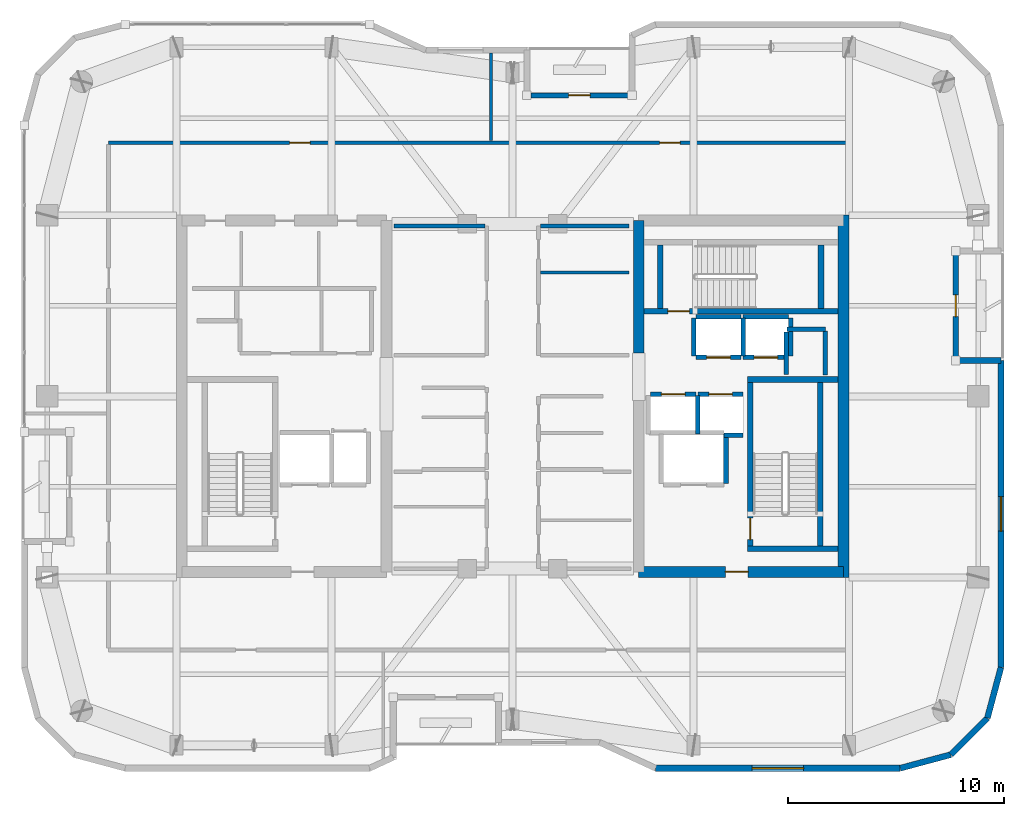
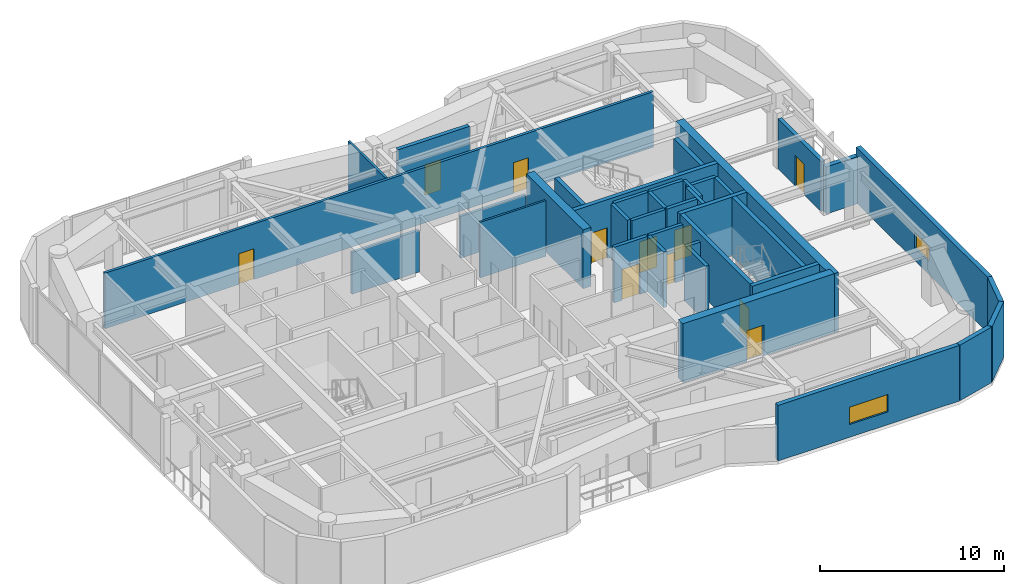
# One storey, part 12 of 15: 38 walls, 11 doors, 2 windows, 13 openings.
"""IFC4 building model written with IfcOpenShell, lengths in metres."""

from ifc_helpers import new_model, si_unit, direction, frame, frame_2d, origin, place, context, subcontext, project, spatial, rectangle, extrude, material, layer, layer_set, type_object, element, fill, save


model = new_model("IFC4")

# Units and contexts
model_context = context("Model", 3, precision=1e-05, world=origin(), true_north=direction((0.0, 1.0)))
body_context = subcontext(model_context, "Body", "Model", "MODEL_VIEW")
ifc_project = project(units=[si_unit("LENGTHUNIT", "METRE"), si_unit("AREAUNIT", "SQUARE_METRE"), si_unit("VOLUMEUNIT", "CUBIC_METRE"), si_unit("PLANEANGLEUNIT", "RADIAN"), si_unit("MASSUNIT", "GRAM", prefix="KILO")], contexts=[model_context])

# Site, building, storey
site_placement = place(None, origin())
site = spatial("IfcSite", under=ifc_project, at=site_placement, CompositionType="ELEMENT")
building_placement = place(site_placement, origin())
building = spatial("IfcBuilding", under=site, at=building_placement, Name="Kiyonajd Concourse Tower", CompositionType="ELEMENT")
storey_placement = place(building_placement, frame((0.0, 0.0, 286.199951171875)))
storey = spatial("IfcBuildingStorey", under=building, at=storey_placement, Name="L72", CompositionType="ELEMENT", Elevation=286.199951171875)

# Walls
ifc_material_1 = material(Name="Concrete C60/75", Category="concrete")
ifc_layer_1 = layer(ifc_material_1, 0.5)
ifc_layer_set_1 = layer_set([ifc_layer_1], Name="Concrete C60/75")
wall_type_1 = type_object("IfcWallType", Name="WL-CORE-500", PredefinedType="SHEAR", material=ifc_layer_set_1)
wall_1_placement = place(storey_placement, frame((53.85009765625, 38.0, 0.0), z_axis=(0.0, 0.0, 1.0), x_axis=(0.0, 1.0, 0.0)))
element("IfcWall", 1, at=wall_1_placement, inside=storey, type_object=wall_type_1, Name="L72 East Core Inner North Shear Wall", PredefinedType="SHEAR", context=body_context, shape_type="SweptSolid", body=[
    extrude(rectangle(XDim=6.14990234375, YDim=0.5, at=frame_2d((3.074951171875, 0.0))), origin(), (0.0, 0.0, 1.0), 3.900146484375),
])
wall_2_placement = place(storey_placement, frame((63.35009765625, 27.60009765625, 0.0), z_axis=(0.0, 0.0, 1.0), x_axis=(0.0, 1.0, 0.0)))
element("IfcWall", 2, at=wall_2_placement, inside=storey, type_object=wall_type_1, Name="L72 East Core Outer Shear Wall", PredefinedType="SHEAR", context=body_context, shape_type="SweptSolid", body=[
    extrude(rectangle(XDim=16.7998046875, YDim=0.5, at=frame_2d((8.39990234375, 0.0))), origin(), (0.0, 0.0, 1.0), 3.900146484375),
])

# Wall, opening, door
wall_3_placement = place(storey_placement, frame((53.85009765625, 27.85009765625, 0.0), z_axis=(0.0, 0.0, 1.0), x_axis=(1.0, 0.0, 0.0)))
wall_3 = element("IfcWall", 3, at=wall_3_placement, inside=storey, type_object=wall_type_1, Name="L72 East Core South Shear Wall", PredefinedType="SHEAR", context=body_context, shape_type="SweptSolid", body=[
    extrude(rectangle(XDim=9.5, YDim=0.5, at=frame_2d((4.75, 0.0))), origin(), (0.0, 0.0, 1.0), 3.900146484375),
])
opening_1_placement = place(wall_3_placement, frame((4.02490234375, 0.0, 0.0)))
opening_1 = element("IfcOpeningElement", 4, at=opening_1_placement, cuts=wall_3, Name="Opening DF5", PredefinedType="OPENING", context=body_context, shape_type="SweptSolid", body=[
    extrude(rectangle(XDim=1.050048828125, YDim=2.0400390625, at=frame_2d((0.52490234375, 1.02001953125))), frame((0.0, 0.260009765625, 0.0), z_axis=(0.0, -1.0, 0.0), x_axis=(1.0, 0.0, 0.0)), (0.0, 0.0, 1.0), 0.52001953125),
])
ifc_material_2 = material(Name="Brushed Stainless Steel Cab Assembly", Category="steel")
door_type_1 = type_object("IfcDoorType", Name="DR-FD45-1050", OperationType="NOTDEFINED", PredefinedType="DOOR", material=ifc_material_2)
door_1_placement = place(opening_1_placement, origin())
door_1 = element("IfcDoor", 5, at=door_1_placement, inside=storey, type_object=door_type_1, Name="L72 Firefighting Lift Lobby E Smoke Door", OperationType="SINGLE_SWING_RIGHT", OverallHeight=2.0400390625, OverallWidth=1.050048828125, PredefinedType="DOOR", context=body_context, shape_type="SweptSolid", body=[
    extrude(rectangle(XDim=1.050048828125, YDim=2.0400390625, at=frame_2d((0.52490234375, 1.02001953125))), frame((0.0, 0.02490234375, 0.0), z_axis=(0.0, -1.0, 0.0), x_axis=(1.0, 0.0, 0.0)), (0.0, 0.0, 1.0), 0.050048828125),
])
fill(opening_1, door_1)

# Wall
ifc_material_3 = material(Name="Precast concrete C50/60", Category="concrete")
ifc_layer_2 = layer(ifc_material_3, 0.280029296875)
ifc_layer_set_2 = layer_set([ifc_layer_2], Name="Precast concrete C50/60")
wall_type_2 = type_object("IfcWallType", Name="WL-EXT-280", PredefinedType="SOLIDWALL", material=ifc_layer_set_2)
wall_4_placement = place(storey_placement, frame((68.56005859375, 37.659912109375, 0.0), z_axis=(0.0, 0.0, 1.0), x_axis=(1.0, 0.0, 0.0)))
element("IfcWall", 6, at=wall_4_placement, inside=storey, type_object=wall_type_2, Name="L72 Exterior Concrete Frame Wall 23", PredefinedType="SOLIDWALL", context=body_context, shape_type="SweptSolid", body=[
    extrude(rectangle(XDim=2.099853515625, YDim=0.280029296875, at=frame_2d((1.0498046875, 0.0))), origin(), (0.0, 0.0, 1.0), 3.1259765625),
])

# Wall, opening, window
wall_5_placement = place(storey_placement, frame((70.659912109375, 37.659912109375, 0.0), z_axis=(0.0, 0.0, 1.0), x_axis=(0.0, -1.0, 0.0)))
wall_5 = element("IfcWall", 7, at=wall_5_placement, inside=storey, type_object=wall_type_2, Name="L72 Exterior Concrete Frame Wall 24", PredefinedType="SOLIDWALL", context=body_context, shape_type="SweptSolid", body=[
    extrude(rectangle(XDim=14.241455078125, YDim=0.280029296875, at=frame_2d((7.12060546875, 0.0))), origin(), (0.0, 0.0, 1.0), 3.679931640625),
])
opening_2_placement = place(wall_5_placement, frame((6.321044921875, 0.0, 0.85009765625)))
opening_2 = element("IfcOpeningElement", 8, at=opening_2_placement, cuts=wall_5, Name="Opening WN6", PredefinedType="OPENING", context=body_context, shape_type="SweptSolid", body=[
    extrude(rectangle(XDim=1.60009765625, YDim=1.0, at=frame_2d((0.800048828125, 0.5))), frame((0.0, 0.14990234375, 0.0), z_axis=(0.0, -1.0, 0.0), x_axis=(1.0, 0.0, 0.0)), (0.0, 0.0, 1.0), 0.300048828125),
])
ifc_material_4 = material(Name="Double Low-E Insulated Glass", Category="glass")
window_type_1 = type_object("IfcWindowType", Name="WN-VIS-1600x1000", PartitioningType="SINGLE_PANEL", PredefinedType="WINDOW", material=ifc_material_4)
window_1_placement = place(opening_2_placement, origin())
window_1 = element("IfcWindow", 9, at=window_1_placement, inside=storey, type_object=window_type_1, Name="L72 Modular Facade Vision Window 24", OverallHeight=1.0, OverallWidth=1.60009765625, PartitioningType="SINGLE_PANEL", PredefinedType="WINDOW", context=body_context, shape_type="SweptSolid", body=[
    extrude(rectangle(XDim=1.60009765625, YDim=1.0, at=frame_2d((0.800048828125, 0.5))), frame((0.0, 0.030029296875, 0.0), z_axis=(0.0, -1.0, 0.0), x_axis=(1.0, 0.0, 0.0)), (0.0, 0.0, 1.0), 0.06005859375),
])
fill(opening_2, window_1)

# Walls
wall_6_placement = place(storey_placement, frame((70.659912109375, 23.41845703125, 0.0), z_axis=(0.0, 0.0, 1.0), x_axis=(-0.258751159445, -0.965944013639, 0.0)))
element("IfcWall", 10, at=wall_6_placement, inside=storey, type_object=wall_type_2, Name="L72 Exterior Concrete Frame Wall 25", PredefinedType="SOLIDWALL", context=body_context, shape_type="SweptSolid", body=[
    extrude(rectangle(XDim=2.4287109375, YDim=0.280029296875, at=frame_2d((1.21435546875, 0.0))), origin(), (0.0, 0.0, 1.0), 3.679931640625),
])
wall_7_placement = place(storey_placement, frame((70.031494140625, 21.072509765625, 0.0), z_axis=(0.0, 0.0, 1.0), x_axis=(-0.707106781187, -0.707106781187, 0.0)))
element("IfcWall", 11, at=wall_7_placement, inside=storey, type_object=wall_type_2, Name="L72 Exterior Concrete Frame Wall 26", PredefinedType="SOLIDWALL", context=body_context, shape_type="SweptSolid", body=[
    extrude(rectangle(XDim=2.409912109375, YDim=0.280029296875, at=frame_2d((1.205078125, 0.0))), origin(), (0.0, 0.0, 1.0), 3.679931640625),
])
wall_8_placement = place(storey_placement, frame((68.327392578125, 19.368408203125, 0.0), z_axis=(0.0, 0.0, 1.0), x_axis=(-0.965937282298, -0.25877628691, 0.0)))
element("IfcWall", 12, at=wall_8_placement, inside=storey, type_object=wall_type_2, Name="L72 Exterior Concrete Frame Wall 27", PredefinedType="SOLIDWALL", context=body_context, shape_type="SweptSolid", body=[
    extrude(rectangle(XDim=2.428466796875, YDim=0.280029296875, at=frame_2d((1.21435546875, 0.0))), origin(), (0.0, 0.0, 1.0), 3.679931640625),
])

# Wall, opening, window
wall_9_placement = place(storey_placement, frame((65.981689453125, 18.739990234375, 0.0), z_axis=(0.0, 0.0, 1.0), x_axis=(-1.0, 0.0, 0.0)))
wall_9 = element("IfcWall", 13, at=wall_9_placement, inside=storey, type_object=wall_type_2, Name="L72 Exterior Concrete Frame Wall 28", PredefinedType="SOLIDWALL", context=body_context, shape_type="SweptSolid", body=[
    extrude(rectangle(XDim=11.35107421875, YDim=0.280029296875, at=frame_2d((5.675537109375, 0.0))), origin(), (0.0, 0.0, 1.0), 3.679931640625),
])
opening_3_placement = place(wall_9_placement, frame((4.47509765625, 0.0, 0.85009765625)))
opening_3 = element("IfcOpeningElement", 14, at=opening_3_placement, cuts=wall_9, Name="Opening WN4", PredefinedType="OPENING", context=body_context, shape_type="SweptSolid", body=[
    extrude(rectangle(XDim=2.39990234375, YDim=1.14990234375, at=frame_2d((1.199951171875, 0.574951171875))), frame((0.0, 0.14990234375, 0.0), z_axis=(0.0, -1.0, 0.0), x_axis=(1.0, 0.0, 0.0)), (0.0, 0.0, 1.0), 0.300048828125),
])
window_type_2 = type_object("IfcWindowType", Name="WN-VIS-2400x1150", PartitioningType="SINGLE_PANEL", PredefinedType="WINDOW", material=ifc_material_4)
window_2_placement = place(opening_3_placement, origin())
window_2 = element("IfcWindow", 15, at=window_2_placement, inside=storey, type_object=window_type_2, Name="L72 Modular Facade Vision Window 28", OverallHeight=1.14990234375, OverallWidth=2.39990234375, PartitioningType="SINGLE_PANEL", PredefinedType="WINDOW", context=body_context, shape_type="SweptSolid", body=[
    extrude(rectangle(XDim=2.39990234375, YDim=1.14990234375, at=frame_2d((1.199951171875, 0.574951171875))), frame((0.0, 0.030029296875, 0.0), z_axis=(0.0, -1.0, 0.0), x_axis=(1.0, 0.0, 0.0)), (0.0, 0.0, 1.0), 0.06005859375),
])
fill(opening_3, window_2)

# Wall, opening, door
ifc_layer_3 = layer(ifc_material_3, 0.239990234375)
ifc_layer_set_3 = layer_set([ifc_layer_3], Name="Precast concrete C50/60")
wall_type_3 = type_object("IfcWallType", Name="WL-LOG-240", PredefinedType="SOLIDWALL", material=ifc_layer_set_3)
wall_10_placement = place(storey_placement, frame((48.85498046875, 49.9599609375, 0.0), z_axis=(0.0, 0.0, 1.0), x_axis=(1.0, 0.0, 0.0)))
wall_10 = element("IfcWall", 16, at=wall_10_placement, inside=storey, type_object=wall_type_3, Name="L72 Recessed Loggia Thermal Wall LOG-N", PredefinedType="SOLIDWALL", context=body_context, shape_type="SweptSolid", body=[
    extrude(rectangle(XDim=4.489990234375, YDim=0.239990234375, at=frame_2d((2.2451171875, 0.0))), origin(), (0.0, 0.0, 1.0), 3.679931640625),
])
opening_4_placement = place(wall_10_placement, frame((1.7451171875, 0.0, 0.0)))
opening_4 = element("IfcOpeningElement", 17, at=opening_4_placement, cuts=wall_10, Name="Opening DL1", PredefinedType="OPENING", context=body_context, shape_type="SweptSolid", body=[
    extrude(rectangle(XDim=1.0, YDim=2.02001953125, at=frame_2d((0.5, 1.010009765625))), frame((0.0, 0.1298828125, 0.0), z_axis=(0.0, -1.0, 0.0), x_axis=(1.0, 0.0, 0.0)), (0.0, 0.0, 1.0), 0.260009765625),
])
ifc_material_5 = material(Name="Thermally Broken Anodised Aluminium", Category="aluminium")
door_type_2 = type_object("IfcDoorType", Name="DR-LOG-1000", OperationType="NOTDEFINED", PredefinedType="DOOR", material=ifc_material_5)
door_2_placement = place(opening_4_placement, origin())
door_2 = element("IfcDoor", 18, at=door_2_placement, inside=storey, type_object=door_type_2, Name="L72 Engawa Loggia Access Door LOG-N", OperationType="SINGLE_SWING_RIGHT", OverallHeight=2.02001953125, OverallWidth=1.0, PredefinedType="DOOR", context=body_context, shape_type="SweptSolid", body=[
    extrude(rectangle(XDim=1.0, YDim=2.02001953125, at=frame_2d((0.5, 1.010009765625))), frame((0.0, 0.02490234375, 0.0), z_axis=(0.0, -1.0, 0.0), x_axis=(1.0, 0.0, 0.0)), (0.0, 0.0, 1.0), 0.050048828125),
])
fill(opening_4, door_2)

wall_11_placement = place(storey_placement, frame((68.56005859375, 42.544921875, 0.0), z_axis=(0.0, 0.0, 1.0), x_axis=(0.0, -1.0, 0.0)))
wall_11 = element("IfcWall", 19, at=wall_11_placement, inside=storey, type_object=wall_type_3, Name="L72 Recessed Loggia Thermal Wall LOG-E", PredefinedType="SOLIDWALL", context=body_context, shape_type="SweptSolid", body=[
    extrude(rectangle(XDim=4.68994140625, YDim=0.239990234375, at=frame_2d((2.344970703125, 0.0))), origin(), (0.0, 0.0, 1.0), 3.31103515625),
])
opening_5_placement = place(wall_11_placement, frame((1.844970703125, 0.0, 0.0)))
opening_5 = element("IfcOpeningElement", 20, at=opening_5_placement, cuts=wall_11, Name="Opening DL1", PredefinedType="OPENING", context=body_context, shape_type="SweptSolid", body=[
    extrude(rectangle(XDim=1.0, YDim=2.02001953125, at=frame_2d((0.5, 1.010009765625))), frame((0.0, 0.1298828125, 0.0), z_axis=(0.0, -1.0, 0.0), x_axis=(1.0, 0.0, 0.0)), (0.0, 0.0, 1.0), 0.260009765625),
])
door_3_placement = place(opening_5_placement, origin())
door_3 = element("IfcDoor", 21, at=door_3_placement, inside=storey, type_object=door_type_2, Name="L72 Engawa Loggia Access Door LOG-E", OperationType="SINGLE_SWING_LEFT", OverallHeight=2.02001953125, OverallWidth=1.0, PredefinedType="DOOR", context=body_context, shape_type="SweptSolid", body=[
    extrude(rectangle(XDim=1.0, YDim=2.02001953125, at=frame_2d((0.5, 1.010009765625))), frame((0.0, 0.02490234375, 0.0), z_axis=(0.0, -1.0, 0.0), x_axis=(1.0, 0.0, 0.0)), (0.0, 0.0, 1.0), 0.050048828125),
])
fill(opening_5, door_3)

# Walls
ifc_material_6 = material(Name="Gypsum Board on Cold-Formed Steel Stud", Category="steel")
ifc_layer_4 = layer(ifc_material_6, 0.125)
ifc_layer_set_4 = layer_set([ifc_layer_4], Name="Gypsum Board on Cold-Formed Steel Stud")
wall_type_4 = type_object("IfcWallType", Name="WL-PART-125", PredefinedType="PARTITIONING", material=ifc_layer_set_4)
wall_12_placement = place(storey_placement, frame((49.287109375, 41.739990234375, 0.0), z_axis=(0.0, 0.0, 1.0), x_axis=(1.0, 0.0, 0.0)))
element("IfcWall", 22, at=wall_12_placement, inside=storey, type_object=wall_type_4, Name="L72 Interior Partition Wall", PredefinedType="PARTITIONING", context=body_context, shape_type="SweptSolid", body=[
    extrude(rectangle(XDim=4.11279296875, YDim=0.125, at=frame_2d((2.056396484375, 0.0))), origin(), (0.0, 0.0, 1.0), 3.679931640625),
])
wall_13_placement = place(storey_placement, frame((47.0, 47.85693359375, 0.0), z_axis=(0.0, 0.0, 1.0), x_axis=(0.0, 1.0, 0.0)))
element("IfcWall", 23, at=wall_13_placement, inside=storey, type_object=wall_type_4, Name="L72 Interior Partition Wall", PredefinedType="PARTITIONING", context=body_context, shape_type="SweptSolid", body=[
    extrude(rectangle(XDim=4.068115234375, YDim=0.125, at=frame_2d((2.0341796875, 0.0))), origin(), (0.0, 0.0, 1.0), 3.679931640625),
])
ifc_layer_5 = layer(ifc_material_6, 0.2099609375)
ifc_layer_set_5 = layer_set([ifc_layer_5], Name="Gypsum Board on Cold-Formed Steel Stud")
wall_type_5 = type_object("IfcWallType", Name="WL-SHAFT-210", PredefinedType="PARTITIONING", material=ifc_layer_set_5)
wall_14_placement = place(storey_placement, frame((60.719970703125, 39.10009765625, 0.0), z_axis=(0.0, 0.0, 1.0), x_axis=(1.0, 0.0, 0.0)))
element("IfcWall", 24, at=wall_14_placement, inside=storey, type_object=wall_type_5, Name="L72 Shaft Enclosure Wall", PredefinedType="PARTITIONING", context=body_context, shape_type="SweptSolid", body=[
    extrude(rectangle(XDim=1.800048828125, YDim=0.2099609375, at=frame_2d((0.89990234375, 0.0))), origin(), (0.0, 0.0, 1.0), 3.679931640625),
])
wall_15_placement = place(storey_placement, frame((60.699951171875, 37.02001953125, 0.0), z_axis=(0.0, 0.0, 1.0), x_axis=(0.0, 1.0, 0.0)))
element("IfcWall", 25, at=wall_15_placement, inside=storey, type_object=wall_type_5, Name="L72 Shaft Enclosure Wall", PredefinedType="PARTITIONING", context=body_context, shape_type="SweptSolid", body=[
    extrude(rectangle(XDim=1.9599609375, YDim=0.2099609375, at=frame_2d((0.97998046875, 0.0))), origin(), (0.0, 0.0, 1.0), 3.679931640625),
])
wall_16_placement = place(storey_placement, frame((62.5, 36.97998046875, 0.0), z_axis=(0.0, 0.0, 1.0), x_axis=(0.0, 1.0, 0.0)))
element("IfcWall", 26, at=wall_16_placement, inside=storey, type_object=wall_type_5, Name="L72 Shaft Enclosure Wall", PredefinedType="PARTITIONING", context=body_context, shape_type="SweptSolid", body=[
    extrude(rectangle(XDim=2.0400390625, YDim=0.2099609375, at=frame_2d((1.02001953125, 0.0))), origin(), (0.0, 0.0, 1.0), 3.679931640625),
])
wall_17_placement = place(storey_placement, frame((57.89990234375, 31.9599609375, 0.0), z_axis=(0.0, 0.0, 1.0), x_axis=(0.0, 1.0, 0.0)))
element("IfcWall", 27, at=wall_17_placement, inside=storey, type_object=wall_type_5, Name="L72 Shaft Enclosure Wall", PredefinedType="PARTITIONING", context=body_context, shape_type="SweptSolid", body=[
    extrude(rectangle(XDim=2.280029296875, YDim=0.2099609375, at=frame_2d((1.14013671875, 0.0))), origin(), (0.0, 0.0, 1.0), 3.679931640625),
])

# Wall, opening, door
wall_18_placement = place(storey_placement, frame((54.39990234375, 36.10009765625, 0.0), z_axis=(0.0, 0.0, 1.0), x_axis=(1.0, 0.0, 0.0)))
wall_18 = element("IfcWall", 28, at=wall_18_placement, inside=storey, type_object=wall_type_5, Name="L72 Shaft Enclosure Wall", PredefinedType="PARTITIONING", context=body_context, shape_type="SweptSolid", body=[
    extrude(rectangle(XDim=2.10009765625, YDim=0.2099609375, at=frame_2d((1.050048828125, 0.0))), origin(), (0.0, 0.0, 1.0), 3.679931640625),
])
opening_6_placement = place(wall_18_placement, frame((0.5, 0.0, 0.0)))
opening_6 = element("IfcOpeningElement", 29, at=opening_6_placement, cuts=wall_18, Name="Opening LD1", PredefinedType="OPENING", context=body_context, shape_type="SweptSolid", body=[
    extrude(rectangle(XDim=1.10009765625, YDim=2.0400390625, at=frame_2d((0.550048828125, 1.02001953125))), frame((0.0, 0.114990234375, 0.0), z_axis=(0.0, -1.0, 0.0), x_axis=(1.0, 0.0, 0.0)), (0.0, 0.0, 1.0), 0.22998046875),
])
door_type_3 = type_object("IfcDoorType", Name="DR-LD-1100", OperationType="DOUBLE_DOOR_SLIDING", PredefinedType="DOOR", material=ifc_material_2)
door_4_placement = place(opening_6_placement, origin())
door_4 = element("IfcDoor", 30, at=door_4_placement, inside=storey, type_object=door_type_3, Name="L72 Lift PL-H1 Sliding Landing Door", OperationType="DOUBLE_DOOR_SLIDING", OverallHeight=2.0400390625, OverallWidth=1.10009765625, PredefinedType="DOOR", context=body_context, shape_type="SweptSolid", body=[
    extrude(rectangle(XDim=1.10009765625, YDim=2.0400390625, at=frame_2d((0.550048828125, 1.02001953125))), frame((0.0, 0.02490234375, 0.0), z_axis=(0.0, -1.0, 0.0), x_axis=(1.0, 0.0, 0.0)), (0.0, 0.0, 1.0), 0.050048828125),
])
fill(opening_6, door_4)

# Wall
wall_19_placement = place(storey_placement, frame((56.60009765625, 34.260009765625, 0.0), z_axis=(0.0, 0.0, 1.0), x_axis=(0.0, 1.0, 0.0)))
element("IfcWall", 31, at=wall_19_placement, inside=storey, type_object=wall_type_5, Name="L72 Shaft Enclosure Wall", PredefinedType="PARTITIONING", context=body_context, shape_type="SweptSolid", body=[
    extrude(rectangle(XDim=1.780029296875, YDim=0.2099609375, at=frame_2d((0.89013671875, 0.0))), origin(), (0.0, 0.0, 1.0), 3.679931640625),
])

# Wall, opening, door
wall_20_placement = place(storey_placement, frame((56.60009765625, 36.10009765625, 0.0), z_axis=(0.0, 0.0, 1.0), x_axis=(1.0, 0.0, 0.0)))
wall_20 = element("IfcWall", 32, at=wall_20_placement, inside=storey, type_object=wall_type_5, Name="L72 Shaft Enclosure Wall", PredefinedType="PARTITIONING", context=body_context, shape_type="SweptSolid", body=[
    extrude(rectangle(XDim=2.099853515625, YDim=0.2099609375, at=frame_2d((1.0498046875, 0.0))), origin(), (0.0, 0.0, 1.0), 3.679931640625),
])
opening_7_placement = place(wall_20_placement, frame((0.5, 0.0, 0.0)))
opening_7 = element("IfcOpeningElement", 33, at=opening_7_placement, cuts=wall_20, Name="Opening LD1", PredefinedType="OPENING", context=body_context, shape_type="SweptSolid", body=[
    extrude(rectangle(XDim=1.10009765625, YDim=2.0400390625, at=frame_2d((0.550048828125, 1.02001953125))), frame((0.0, 0.114990234375, 0.0), z_axis=(0.0, -1.0, 0.0), x_axis=(1.0, 0.0, 0.0)), (0.0, 0.0, 1.0), 0.22998046875),
])
door_5_placement = place(opening_7_placement, origin())
door_5 = element("IfcDoor", 34, at=door_5_placement, inside=storey, type_object=door_type_3, Name="L72 Lift PL-H2 Sliding Landing Door", OperationType="DOUBLE_DOOR_SLIDING", OverallHeight=2.0400390625, OverallWidth=1.10009765625, PredefinedType="DOOR", context=body_context, shape_type="SweptSolid", body=[
    extrude(rectangle(XDim=1.10009765625, YDim=2.0400390625, at=frame_2d((0.550048828125, 1.02001953125))), frame((0.0, 0.02490234375, 0.0), z_axis=(0.0, -1.0, 0.0), x_axis=(1.0, 0.0, 0.0)), (0.0, 0.0, 1.0), 0.050048828125),
])
fill(opening_7, door_5)

# Wall
wall_21_placement = place(storey_placement, frame((57.800048828125, 34.199951171875, 0.0), z_axis=(0.0, 0.0, 1.0), x_axis=(1.0, 0.0, 0.0)))
element("IfcWall", 35, at=wall_21_placement, inside=storey, type_object=wall_type_5, Name="L72 Shaft Enclosure Wall", PredefinedType="PARTITIONING", context=body_context, shape_type="SweptSolid", body=[
    extrude(rectangle(XDim=0.89990234375, YDim=0.2099609375, at=frame_2d((0.449951171875, 0.0))), origin(), (0.0, 0.0, 1.0), 3.679931640625),
])

# Wall, opening, door
wall_22_placement = place(storey_placement, frame((56.5, 37.800048828125, 0.0), z_axis=(0.0, 0.0, 1.0), x_axis=(1.0, 0.0, 0.0)))
wall_22 = element("IfcWall", 36, at=wall_22_placement, inside=storey, type_object=wall_type_5, Name="L72 Shaft Enclosure Wall", PredefinedType="PARTITIONING", context=body_context, shape_type="SweptSolid", body=[
    extrude(rectangle(XDim=2.10009765625, YDim=0.2099609375, at=frame_2d((1.050048828125, 0.0))), origin(), (0.0, 0.0, 1.0), 3.679931640625),
])
opening_8_placement = place(wall_22_placement, frame((0.5, 0.0, 0.0)))
opening_8 = element("IfcOpeningElement", 37, at=opening_8_placement, cuts=wall_22, Name="Opening LD1", PredefinedType="OPENING", context=body_context, shape_type="SweptSolid", body=[
    extrude(rectangle(XDim=1.10009765625, YDim=2.0400390625, at=frame_2d((0.550048828125, 1.02001953125))), frame((0.0, 0.114990234375, 0.0), z_axis=(0.0, -1.0, 0.0), x_axis=(1.0, 0.0, 0.0)), (0.0, 0.0, 1.0), 0.22998046875),
])
door_6_placement = place(opening_8_placement, origin())
door_6 = element("IfcDoor", 38, at=door_6_placement, inside=storey, type_object=door_type_3, Name="L72 Lift PL-H3 Sliding Landing Door", OperationType="DOUBLE_DOOR_SLIDING", OverallHeight=2.0400390625, OverallWidth=1.10009765625, PredefinedType="DOOR", context=body_context, shape_type="SweptSolid", body=[
    extrude(rectangle(XDim=1.10009765625, YDim=2.0400390625, at=frame_2d((0.550048828125, 1.02001953125))), frame((0.0, 0.02490234375, 0.0), z_axis=(0.0, -1.0, 0.0), x_axis=(1.0, 0.0, 0.0)), (0.0, 0.0, 1.0), 0.050048828125),
])
fill(opening_8, door_6)

# Walls
wall_23_placement = place(storey_placement, frame((56.5, 39.699951171875, 0.0), z_axis=(0.0, 0.0, 1.0), x_axis=(1.0, 0.0, 0.0)))
element("IfcWall", 39, at=wall_23_placement, inside=storey, type_object=wall_type_5, Name="L72 Shaft Enclosure Wall", PredefinedType="PARTITIONING", context=body_context, shape_type="SweptSolid", body=[
    extrude(rectangle(XDim=2.10009765625, YDim=0.2099609375, at=frame_2d((1.050048828125, 0.0))), origin(), (0.0, 0.0, 1.0), 3.679931640625),
])
for number, where, z_axis, x_axis, name in (
    (40, (56.39990234375, 37.860107421875, 0.0), (0.0, 0.0, 1.0), (0.0, 1.0, 0.0), "L72 Shaft Enclosure Wall"),
    (41, (58.699951171875, 37.860107421875, 0.0), (0.0, 0.0, 1.0), (0.0, 1.0, 0.0), "L72 Shaft Enclosure Wall"),
):
    element("IfcWall", number, at=place(storey_placement, frame(where, z_axis=z_axis, x_axis=x_axis)), inside=storey, type_object=wall_type_5, Name=name, PredefinedType="PARTITIONING", context=body_context, shape_type="SweptSolid", body=[
        extrude(rectangle(XDim=1.77978515625, YDim=0.2099609375, at=frame_2d((0.889892578125, 0.0))), origin(), (0.0, 0.0, 1.0), 3.679931640625),
    ])

# Wall, opening, door
wall_24_placement = place(storey_placement, frame((58.699951171875, 37.800048828125, 0.0), z_axis=(0.0, 0.0, 1.0), x_axis=(1.0, 0.0, 0.0)))
wall_24 = element("IfcWall", 42, at=wall_24_placement, inside=storey, type_object=wall_type_5, Name="L72 Shaft Enclosure Wall", PredefinedType="PARTITIONING", context=body_context, shape_type="SweptSolid", body=[
    extrude(rectangle(XDim=2.10009765625, YDim=0.2099609375, at=frame_2d((1.050048828125, 0.0))), origin(), (0.0, 0.0, 1.0), 3.679931640625),
])
opening_9_placement = place(wall_24_placement, frame((0.5, 0.0, 0.0)))
opening_9 = element("IfcOpeningElement", 43, at=opening_9_placement, cuts=wall_24, Name="Opening LD1", PredefinedType="OPENING", context=body_context, shape_type="SweptSolid", body=[
    extrude(rectangle(XDim=1.10009765625, YDim=2.0400390625, at=frame_2d((0.550048828125, 1.02001953125))), frame((0.0, 0.114990234375, 0.0), z_axis=(0.0, -1.0, 0.0), x_axis=(1.0, 0.0, 0.0)), (0.0, 0.0, 1.0), 0.22998046875),
])
door_7_placement = place(opening_9_placement, origin())
door_7 = element("IfcDoor", 44, at=door_7_placement, inside=storey, type_object=door_type_3, Name="L72 Lift PL-H4 Sliding Landing Door", OperationType="DOUBLE_DOOR_SLIDING", OverallHeight=2.0400390625, OverallWidth=1.10009765625, PredefinedType="DOOR", context=body_context, shape_type="SweptSolid", body=[
    extrude(rectangle(XDim=1.10009765625, YDim=2.0400390625, at=frame_2d((0.550048828125, 1.02001953125))), frame((0.0, 0.02490234375, 0.0), z_axis=(0.0, -1.0, 0.0), x_axis=(1.0, 0.0, 0.0)), (0.0, 0.0, 1.0), 0.050048828125),
])
fill(opening_9, door_7)

# Walls
wall_25_placement = place(storey_placement, frame((58.699951171875, 39.699951171875, 0.0), z_axis=(0.0, 0.0, 1.0), x_axis=(1.0, 0.0, 0.0)))
element("IfcWall", 45, at=wall_25_placement, inside=storey, type_object=wall_type_5, Name="L72 Shaft Enclosure Wall", PredefinedType="PARTITIONING", context=body_context, shape_type="SweptSolid", body=[
    extrude(rectangle(XDim=2.10009765625, YDim=0.2099609375, at=frame_2d((1.050048828125, 0.0))), origin(), (0.0, 0.0, 1.0), 3.679931640625),
])
wall_26_placement = place(storey_placement, frame((60.89990234375, 37.860107421875, 0.0), z_axis=(0.0, 0.0, 1.0), x_axis=(0.0, 1.0, 0.0)))
element("IfcWall", 46, at=wall_26_placement, inside=storey, type_object=wall_type_5, Name="L72 Shaft Enclosure Wall", PredefinedType="PARTITIONING", context=body_context, shape_type="SweptSolid", body=[
    extrude(rectangle(XDim=1.77978515625, YDim=0.2099609375, at=frame_2d((0.889892578125, 0.0))), origin(), (0.0, 0.0, 1.0), 3.679931640625),
])
ifc_layer_6 = layer(ifc_material_6, 0.169921875)
ifc_layer_set_6 = layer_set([ifc_layer_6], Name="Gypsum Board on Cold-Formed Steel Stud")
wall_type_6 = type_object("IfcWallType", Name="WL-SMK-170", PredefinedType="PARTITIONING", material=ifc_layer_set_6)
wall_27_placement = place(storey_placement, frame((42.5, 43.89990234375, 0.0), z_axis=(0.0, 0.0, 1.0), x_axis=(1.0, 0.0, 0.0)))
element("IfcWall", 47, at=wall_27_placement, inside=storey, type_object=wall_type_6, Name="L72 Interior Partition Wall", PredefinedType="PARTITIONING", context=body_context, shape_type="SweptSolid", body=[
    extrude(rectangle(XDim=4.212890625, YDim=0.169921875, at=frame_2d((2.1064453125, 0.0))), origin(), (0.0, 0.0, 1.0), 2.76513671875),
])
wall_28_placement = place(storey_placement, frame((49.287109375, 43.89990234375, 0.0), z_axis=(0.0, 0.0, 1.0), x_axis=(1.0, 0.0, 0.0)))
element("IfcWall", 48, at=wall_28_placement, inside=storey, type_object=wall_type_6, Name="L72 Interior Partition Wall", PredefinedType="PARTITIONING", context=body_context, shape_type="SweptSolid", body=[
    extrude(rectangle(XDim=4.11279296875, YDim=0.169921875, at=frame_2d((2.056396484375, 0.0))), origin(), (0.0, 0.0, 1.0), 2.76513671875),
])

# Wall, openings, doors
wall_29_placement = place(storey_placement, frame((29.25, 47.77001953125, 0.0), z_axis=(0.0, 0.0, 1.0), x_axis=(1.0, 0.0, 0.0)))
wall_29 = element("IfcWall", 49, at=wall_29_placement, inside=storey, type_object=wall_type_6, Name="L72 Interior Partition Wall", PredefinedType="PARTITIONING", context=body_context, shape_type="SweptSolid", body=[
    extrude(rectangle(XDim=34.35009765625, YDim=0.169921875, at=frame_2d((17.175048828125, 0.0))), origin(), (0.0, 0.0, 1.0), 3.679931640625),
])
opening_10_placement = place(wall_29_placement, frame((8.39990234375, 0.0, 0.0)))
opening_10 = element("IfcOpeningElement", 50, at=opening_10_placement, cuts=wall_29, Name="Opening DI1", PredefinedType="OPENING", context=body_context, shape_type="SweptSolid", body=[
    extrude(rectangle(XDim=0.949951171875, YDim=2.0400390625, at=frame_2d((0.47509765625, 1.02001953125))), frame((0.0, 0.094970703125, 0.0), z_axis=(0.0, -1.0, 0.0), x_axis=(1.0, 0.0, 0.0)), (0.0, 0.0, 1.0), 0.18994140625),
])
opening_11_placement = place(wall_29_placement, frame((25.574951171875, 0.0, 0.0)))
opening_11 = element("IfcOpeningElement", 51, at=opening_11_placement, cuts=wall_29, Name="Opening DI1", PredefinedType="OPENING", context=body_context, shape_type="SweptSolid", body=[
    extrude(rectangle(XDim=0.949951171875, YDim=2.0400390625, at=frame_2d((0.47509765625, 1.02001953125))), frame((0.0, 0.094970703125, 0.0), z_axis=(0.0, -1.0, 0.0), x_axis=(1.0, 0.0, 0.0)), (0.0, 0.0, 1.0), 0.18994140625),
])
ifc_material_7 = material(Name="Natural Oak Acoustic Timber Veneer", Category="wood")
door_type_4 = type_object("IfcDoorType", Name="DR-INT-950", OperationType="NOTDEFINED", PredefinedType="DOOR", material=ifc_material_7)
door_8_placement = place(opening_10_placement, origin())
door_8 = element("IfcDoor", 52, at=door_8_placement, inside=storey, type_object=door_type_4, Name="L72 Interior Door", OperationType="SINGLE_SWING_RIGHT", OverallHeight=2.0400390625, OverallWidth=0.949951171875, PredefinedType="DOOR", context=body_context, shape_type="SweptSolid", body=[
    extrude(rectangle(XDim=0.949951171875, YDim=2.0400390625, at=frame_2d((0.47509765625, 1.02001953125))), frame((0.0, 0.02490234375, 0.0), z_axis=(0.0, -1.0, 0.0), x_axis=(1.0, 0.0, 0.0)), (0.0, 0.0, 1.0), 0.050048828125),
])
fill(opening_10, door_8)
door_9_placement = place(opening_11_placement, origin())
door_9 = element("IfcDoor", 53, at=door_9_placement, inside=storey, type_object=door_type_4, Name="L72 Interior Door", OperationType="SINGLE_SWING_LEFT", OverallHeight=2.0400390625, OverallWidth=0.949951171875, PredefinedType="DOOR", context=body_context, shape_type="SweptSolid", body=[
    extrude(rectangle(XDim=0.949951171875, YDim=2.0400390625, at=frame_2d((0.47509765625, 1.02001953125))), frame((0.0, 0.02490234375, 0.0), z_axis=(0.0, -1.0, 0.0), x_axis=(1.0, 0.0, 0.0)), (0.0, 0.0, 1.0), 0.050048828125),
])
fill(opening_11, door_9)

# Walls
ifc_material_8 = material(Name="Concrete C50/60", Category="concrete")
ifc_layer_7 = layer(ifc_material_8, 0.260009765625)
ifc_layer_set_7 = layer_set([ifc_layer_7], Name="Concrete C50/60")
wall_type_7 = type_object("IfcWallType", Name="WL-STAIR-260", PredefinedType="SHEAR", material=ifc_layer_set_7)
for number, where, z_axis, x_axis, name in (
    (54, (58.889892578125, 28.919921875, 0.0), (0.0, 0.0, 1.0), (1.0, 0.0, 0.0), "L72 Stair ST2 Structural South Wall"),
    (55, (58.889892578125, 36.780029296875, 0.0), (0.0, 0.0, 1.0), (1.0, 0.0, 0.0), "L72 Stair ST2 Structural North Wall"),
):
    element("IfcWall", number, at=place(storey_placement, frame(where, z_axis=z_axis, x_axis=x_axis)), inside=storey, type_object=wall_type_7, Name=name, PredefinedType="SHEAR", context=body_context, shape_type="SweptSolid", body=[
        extrude(rectangle(XDim=4.210205078125, YDim=0.260009765625, at=frame_2d((2.10498046875, 0.0))), origin(), (0.0, 0.0, 1.0), 3.900146484375),
    ])

# Wall, opening, door
wall_30_placement = place(storey_placement, frame((59.02001953125, 29.050048828125, 0.0), z_axis=(0.0, 0.0, 1.0), x_axis=(0.0, 1.0, 0.0)))
wall_30 = element("IfcWall", 56, at=wall_30_placement, inside=storey, type_object=wall_type_7, Name="L72 Stair ST2 Structural West Wall", PredefinedType="SHEAR", context=body_context, shape_type="SweptSolid", body=[
    extrude(rectangle(XDim=7.599853515625, YDim=0.260009765625, at=frame_2d((3.7998046875, 0.0))), origin(), (0.0, 0.0, 1.0), 3.900146484375),
])
opening_12_placement = place(wall_30_placement, frame((0.300048828125, 0.0, 0.0)))
opening_12 = element("IfcOpeningElement", 57, at=opening_12_placement, cuts=wall_30, Name="Opening DF1", PredefinedType="OPENING", context=body_context, shape_type="SweptSolid", body=[
    extrude(rectangle(XDim=1.0, YDim=2.0400390625, at=frame_2d((0.5, 1.02001953125))), frame((0.0, 0.139892578125, 0.0), z_axis=(0.0, -1.0, 0.0), x_axis=(1.0, 0.0, 0.0)), (0.0, 0.0, 1.0), 0.280029296875),
])
door_type_5 = type_object("IfcDoorType", Name="DR-FD90-1000", OperationType="NOTDEFINED", PredefinedType="DOOR", material=ifc_material_2)
door_10_placement = place(opening_12_placement, origin())
door_10 = element("IfcDoor", 58, at=door_10_placement, inside=storey, type_object=door_type_5, Name="L72 Stair ST2 FSAE Door", OperationType="SINGLE_SWING_RIGHT", OverallHeight=2.0400390625, OverallWidth=1.0, PredefinedType="DOOR", context=body_context, shape_type="SweptSolid", body=[
    extrude(rectangle(XDim=1.0, YDim=2.0400390625, at=frame_2d((0.5, 1.02001953125))), frame((0.0, 0.02490234375, 0.0), z_axis=(0.0, -1.0, 0.0), x_axis=(1.0, 0.0, 0.0)), (0.0, 0.0, 1.0), 0.050048828125),
])
fill(opening_12, door_10)

# Wall
wall_31_placement = place(storey_placement, frame((62.280029296875, 29.050048828125, 0.0), z_axis=(0.0, 0.0, 1.0), x_axis=(0.0, 1.0, 0.0)))
element("IfcWall", 59, at=wall_31_placement, inside=storey, type_object=wall_type_7, Name="L72 Stair ST2 Structural East Wall", PredefinedType="SHEAR", context=body_context, shape_type="SweptSolid", body=[
    extrude(rectangle(XDim=7.599853515625, YDim=0.260009765625, at=frame_2d((3.7998046875, 0.0))), origin(), (0.0, 0.0, 1.0), 3.900146484375),
])

# Wall, opening, door
wall_32_placement = place(storey_placement, frame((54.10009765625, 39.949951171875, 0.0), z_axis=(0.0, 0.0, 1.0), x_axis=(1.0, 0.0, 0.0)))
wall_32 = element("IfcWall", 60, at=wall_32_placement, inside=storey, type_object=wall_type_7, Name="L72 Stair ST3 Structural South Wall", PredefinedType="SHEAR", context=body_context, shape_type="SweptSolid", body=[
    extrude(rectangle(XDim=9.0, YDim=0.260009765625, at=frame_2d((4.5, 0.0))), origin(), (0.0, 0.0, 1.0), 3.900146484375),
])
opening_13_placement = place(wall_32_placement, frame((1.10009765625, 0.0, 0.0)))
opening_13 = element("IfcOpeningElement", 61, at=opening_13_placement, cuts=wall_32, Name="Opening DF1", PredefinedType="OPENING", context=body_context, shape_type="SweptSolid", body=[
    extrude(rectangle(XDim=1.0, YDim=2.0400390625, at=frame_2d((0.5, 1.02001953125))), frame((0.0, 0.139892578125, 0.0), z_axis=(0.0, -1.0, 0.0), x_axis=(1.0, 0.0, 0.0)), (0.0, 0.0, 1.0), 0.280029296875),
])
door_11_placement = place(opening_13_placement, origin())
door_11 = element("IfcDoor", 62, at=door_11_placement, inside=storey, type_object=door_type_5, Name="L72 Stair ST3 Enclosure Door", OperationType="SINGLE_SWING_LEFT", OverallHeight=2.0400390625, OverallWidth=1.0, PredefinedType="DOOR", context=body_context, shape_type="SweptSolid", body=[
    extrude(rectangle(XDim=1.0, YDim=2.0400390625, at=frame_2d((0.5, 1.02001953125))), frame((0.0, 0.02490234375, 0.0), z_axis=(0.0, -1.0, 0.0), x_axis=(1.0, 0.0, 0.0)), (0.0, 0.0, 1.0), 0.050048828125),
])
fill(opening_13, door_11)

# Walls
for number, where, z_axis, x_axis, name in (
    (63, (54.85009765625, 40.080078125, 0.0), (0.0, 0.0, 1.0), (0.0, 1.0, 0.0), "L72 Stair ST3 Structural West Wall"),
    (64, (62.31005859375, 40.080078125, 0.0), (0.0, 0.0, 1.0), (0.0, 1.0, 0.0), "L72 Stair ST3 Structural East Wall"),
):
    element("IfcWall", number, at=place(storey_placement, frame(where, z_axis=z_axis, x_axis=x_axis)), inside=storey, type_object=wall_type_7, Name=name, PredefinedType="SHEAR", context=body_context, shape_type="SweptSolid", body=[
        extrude(rectangle(XDim=2.93994140625, YDim=0.260009765625, at=frame_2d((1.469970703125, 0.0))), origin(), (0.0, 0.0, 1.0), 3.900146484375),
    ])

save(model, "model.ifc")
